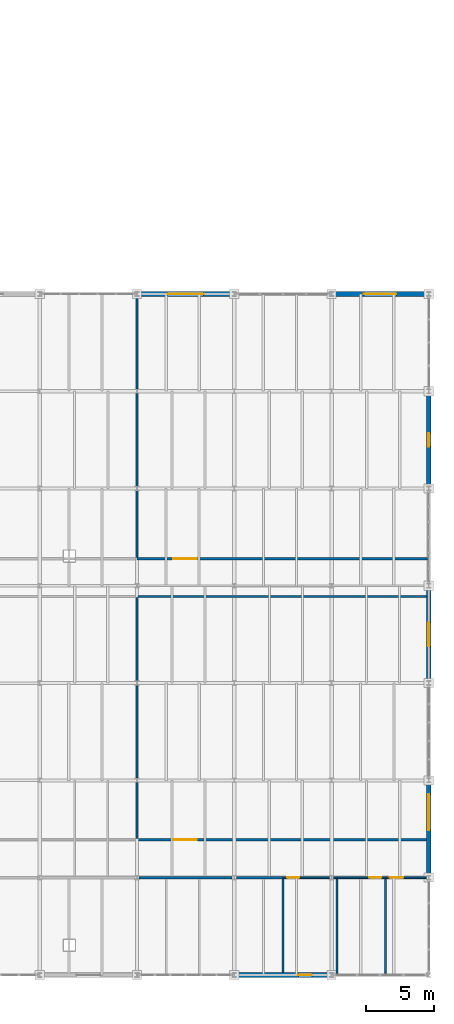
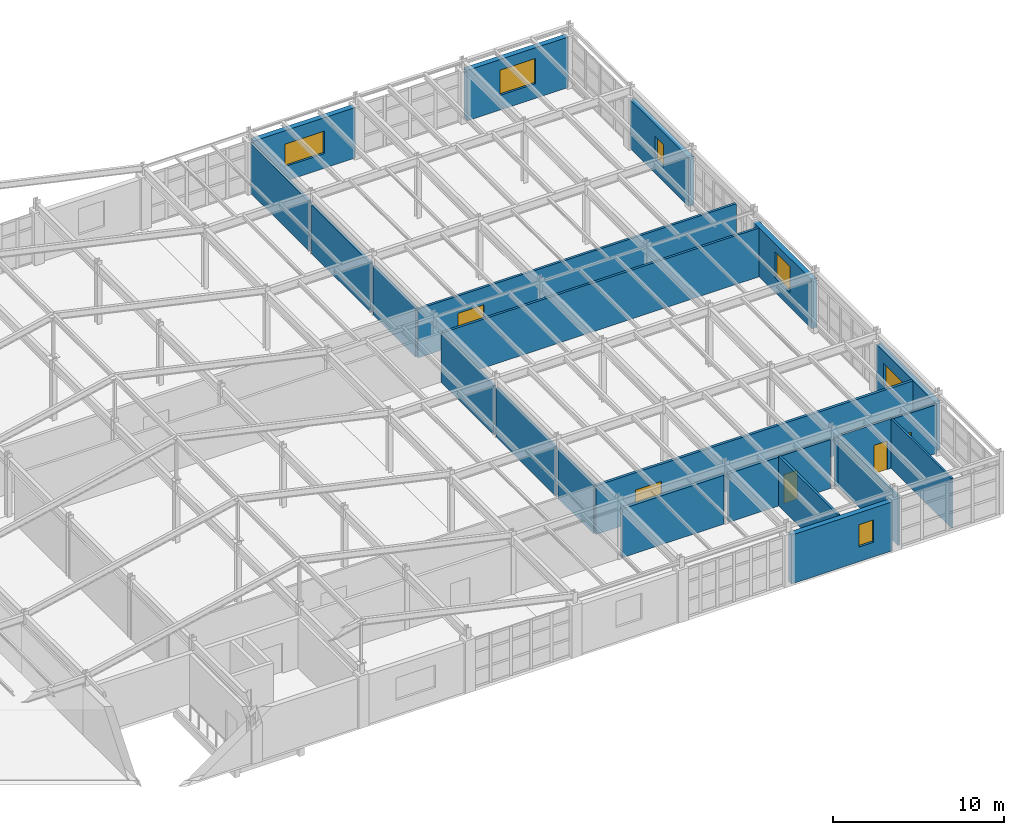
# One storey, part 131 of 137: 24 walls, 6 windows, 5 doors, 11 openings.
"""IFC4 building model written with IfcOpenShell, lengths in metres."""

from ifc_helpers import new_model, si_unit, direction, frame, frame_2d, origin, place, context, subcontext, project, spatial, rectangle, extrude, material, layer, layer_set, type_object, element, fill, save


model = new_model("IFC4")

# Units and contexts
model_context = context("Model", 3, precision=1e-05, world=origin(), true_north=direction((0.0, 1.0)))
body_context = subcontext(model_context, "Body", "Model", "MODEL_VIEW")
ifc_project = project(units=[si_unit("LENGTHUNIT", "METRE"), si_unit("AREAUNIT", "SQUARE_METRE"), si_unit("VOLUMEUNIT", "CUBIC_METRE"), si_unit("PLANEANGLEUNIT", "RADIAN"), si_unit("MASSUNIT", "GRAM", prefix="KILO")], contexts=[model_context])

# Site, building, storey
site_placement = place(None, origin())
site = spatial("IfcSite", under=ifc_project, at=site_placement, CompositionType="ELEMENT")
building_placement = place(site_placement, origin())
building = spatial("IfcBuilding", under=site, at=building_placement, Name="Kemerveld Promenade Tramway Depot", CompositionType="ELEMENT")
storey_placement = place(building_placement, frame((0.0, 0.0, 5.39990234375)))
storey = spatial("IfcBuildingStorey", under=building, at=storey_placement, Name="L01", CompositionType="ELEMENT", Elevation=5.39990234375)

# Wall, opening, window
ifc_material_1 = material(Name="Banded granite and red-ochre clay brick masonry", Category="masonry")
ifc_layer_1 = layer(ifc_material_1, 0.35009765625)
ifc_layer_set_1 = layer_set([ifc_layer_1], Name="WL-EXT-350")
wall_type_1 = type_object("IfcWallType", Name="WL-EXT-350", PredefinedType="SOLIDWALL", material=ifc_layer_set_1)
wall_1_placement = place(storey_placement, frame((194.5771484375, 50.39990234375, 0.0), z_axis=(0.0, 0.0, 1.0), x_axis=(1.0, 0.0, 0.0)))
wall_1 = element("IfcWall", 1, at=wall_1_placement, inside=storey, type_object=wall_type_1, Name="WL-L01-V2N-06", PredefinedType="SOLIDWALL", context=body_context, shape_type="SweptSolid", body=[
    extrude(rectangle(XDim=6.845703125, YDim=0.35009765625, at=frame_2d((3.4228515625, 0.0))), origin(), (0.0, 0.0, 1.0), 3.61279296875),
])
opening_1_placement = place(wall_1_placement, frame((2.097900390625, 0.0, 1.050048828125)))
opening_1 = element("IfcOpeningElement", 2, at=opening_1_placement, cuts=wall_1, Name="Opening W-180", PredefinedType="OPENING", context=body_context, shape_type="SweptSolid", body=[
    extrude(rectangle(XDim=2.64990234375, YDim=1.60009765625, at=frame_2d((1.324951171875, 0.800048828125))), frame((0.0, 0.18505859375, 0.0), z_axis=(0.0, -1.0, 0.0), x_axis=(1.0, 0.0, 0.0)), (0.0, 0.0, 1.0), 0.3701171875),
])
ifc_material_2 = material(Name="Bronze anodised aluminium and low-e glass", Category="aluminium")
window_type_1 = type_object("IfcWindowType", Name="WN-40", PartitioningType="SINGLE_PANEL", PredefinedType="WINDOW", material=ifc_material_2)
window_1_placement = place(opening_1_placement, origin())
window_1 = element("IfcWindow", 3, at=window_1_placement, inside=storey, type_object=window_type_1, Name="WN-L01-V2N-06", OverallHeight=1.60009765625, OverallWidth=2.64990234375, PartitioningType="SINGLE_PANEL", PredefinedType="WINDOW", context=body_context, shape_type="SweptSolid", body=[
    extrude(rectangle(XDim=2.64990234375, YDim=1.60009765625, at=frame_2d((1.324951171875, 0.800048828125))), frame((0.0, 0.030029296875, 0.0), z_axis=(0.0, -1.0, 0.0), x_axis=(1.0, 0.0, 0.0)), (0.0, 0.0, 1.0), 0.06005859375),
])
fill(opening_1, window_1)

wall_2_placement = place(storey_placement, frame((208.977294921875, 50.39990234375, 0.0), z_axis=(0.0, 0.0, 1.0), x_axis=(1.0, 0.0, 0.0)))
wall_2 = element("IfcWall", 4, at=wall_2_placement, inside=storey, type_object=wall_type_1, Name="WL-L01-V2N-08", PredefinedType="SOLIDWALL", context=body_context, shape_type="SweptSolid", body=[
    extrude(rectangle(XDim=6.845458984375, YDim=0.35009765625, at=frame_2d((3.4228515625, 0.0))), origin(), (0.0, 0.0, 1.0), 3.61279296875),
])
opening_2_placement = place(wall_2_placement, frame((2.222900390625, 0.0, 1.050048828125)))
opening_2 = element("IfcOpeningElement", 5, at=opening_2_placement, cuts=wall_2, Name="Opening W-181", PredefinedType="OPENING", context=body_context, shape_type="SweptSolid", body=[
    extrude(rectangle(XDim=2.39990234375, YDim=1.800048828125, at=frame_2d((1.199951171875, 0.89990234375))), frame((0.0, 0.18505859375, 0.0), z_axis=(0.0, -1.0, 0.0), x_axis=(1.0, 0.0, 0.0)), (0.0, 0.0, 1.0), 0.3701171875),
])
window_type_2 = type_object("IfcWindowType", Name="WN-10", PartitioningType="SINGLE_PANEL", PredefinedType="WINDOW", material=ifc_material_2)
window_2_placement = place(opening_2_placement, origin())
window_2 = element("IfcWindow", 6, at=window_2_placement, inside=storey, type_object=window_type_2, Name="WN-L01-V2N-08", OverallHeight=1.800048828125, OverallWidth=2.39990234375, PartitioningType="SINGLE_PANEL", PredefinedType="WINDOW", context=body_context, shape_type="SweptSolid", body=[
    extrude(rectangle(XDim=2.39990234375, YDim=1.800048828125, at=frame_2d((1.199951171875, 0.89990234375))), frame((0.0, 0.030029296875, 0.0), z_axis=(0.0, -1.0, 0.0), x_axis=(1.0, 0.0, 0.0)), (0.0, 0.0, 1.0), 0.06005859375),
])
fill(opening_2, window_2)

wall_3_placement = place(storey_placement, frame((216.0, 43.022705078125, 0.0), z_axis=(0.0, 0.0, 1.0), x_axis=(0.0, -1.0, 0.0)))
wall_3 = element("IfcWall", 7, at=wall_3_placement, inside=storey, type_object=wall_type_1, Name="WL-L01-V2E-02", PredefinedType="SOLIDWALL", context=body_context, shape_type="SweptSolid", body=[
    extrude(rectangle(XDim=6.845458984375, YDim=0.35009765625, at=frame_2d((3.4228515625, 0.0))), origin(), (0.0, 0.0, 1.0), 3.49267578125),
])
opening_3_placement = place(wall_3_placement, frame((2.923095703125, 0.0, 1.050048828125)))
opening_3 = element("IfcOpeningElement", 8, at=opening_3_placement, cuts=wall_3, Name="Opening W-182", PredefinedType="OPENING", context=body_context, shape_type="SweptSolid", body=[
    extrude(rectangle(XDim=1.0, YDim=1.60009765625, at=frame_2d((0.5, 0.800048828125))), frame((0.0, 0.18505859375, 0.0), z_axis=(0.0, -1.0, 0.0), x_axis=(1.0, 0.0, 0.0)), (0.0, 0.0, 1.0), 0.3701171875),
])
window_type_3 = type_object("IfcWindowType", Name="WN-20", PartitioningType="SINGLE_PANEL", PredefinedType="WINDOW", material=ifc_material_2)
window_3_placement = place(opening_3_placement, origin())
window_3 = element("IfcWindow", 9, at=window_3_placement, inside=storey, type_object=window_type_3, Name="WN-L01-V2E-02", OverallHeight=1.60009765625, OverallWidth=1.0, PartitioningType="SINGLE_PANEL", PredefinedType="WINDOW", context=body_context, shape_type="SweptSolid", body=[
    extrude(rectangle(XDim=1.0, YDim=1.60009765625, at=frame_2d((0.5, 0.800048828125))), frame((0.0, 0.030029296875, 0.0), z_axis=(0.0, -1.0, 0.0), x_axis=(1.0, 0.0, 0.0)), (0.0, 0.0, 1.0), 0.06005859375),
])
fill(opening_3, window_3)

wall_4_placement = place(storey_placement, frame((216.0, 28.622802734375, 0.0), z_axis=(0.0, 0.0, 1.0), x_axis=(0.0, -1.0, 0.0)))
wall_4 = element("IfcWall", 10, at=wall_4_placement, inside=storey, type_object=wall_type_1, Name="WL-L01-V2E-04", PredefinedType="SOLIDWALL", context=body_context, shape_type="SweptSolid", body=[
    extrude(rectangle(XDim=6.845458984375, YDim=0.35009765625, at=frame_2d((3.4228515625, 0.0))), origin(), (0.0, 0.0, 1.0), 3.49267578125),
])
opening_4_placement = place(wall_4_placement, frame((2.548095703125, 0.0, 1.050048828125)))
opening_4 = element("IfcOpeningElement", 11, at=opening_4_placement, cuts=wall_4, Name="Opening W-183", PredefinedType="OPENING", context=body_context, shape_type="SweptSolid", body=[
    extrude(rectangle(XDim=1.75, YDim=1.85009765625, at=frame_2d((0.875, 0.925048828125))), frame((0.0, 0.18505859375, 0.0), z_axis=(0.0, -1.0, 0.0), x_axis=(1.0, 0.0, 0.0)), (0.0, 0.0, 1.0), 0.3701171875),
])
window_type_4 = type_object("IfcWindowType", Name="WN-30", PartitioningType="SINGLE_PANEL", PredefinedType="WINDOW", material=ifc_material_2)
window_4_placement = place(opening_4_placement, origin())
window_4 = element("IfcWindow", 12, at=window_4_placement, inside=storey, type_object=window_type_4, Name="WN-L01-V2E-04", OverallHeight=1.85009765625, OverallWidth=1.75, PartitioningType="SINGLE_PANEL", PredefinedType="WINDOW", context=body_context, shape_type="SweptSolid", body=[
    extrude(rectangle(XDim=1.75, YDim=1.85009765625, at=frame_2d((0.875, 0.925048828125))), frame((0.0, 0.030029296875, 0.0), z_axis=(0.0, -1.0, 0.0), x_axis=(1.0, 0.0, 0.0)), (0.0, 0.0, 1.0), 0.06005859375),
])
fill(opening_4, window_4)

wall_5_placement = place(storey_placement, frame((216.0, 14.22265625, 0.0), z_axis=(0.0, 0.0, 1.0), x_axis=(0.0, -1.0, 0.0)))
wall_5 = element("IfcWall", 13, at=wall_5_placement, inside=storey, type_object=wall_type_1, Name="WL-L01-V2E-06", PredefinedType="SOLIDWALL", context=body_context, shape_type="SweptSolid", body=[
    extrude(rectangle(XDim=6.845458984375, YDim=0.35009765625, at=frame_2d((3.4228515625, 0.0))), origin(), (0.0, 0.0, 1.0), 3.49267578125),
])
opening_5_placement = place(wall_5_placement, frame((0.861083984375, 0.0, 1.050048828125)))
opening_5 = element("IfcOpeningElement", 14, at=opening_5_placement, cuts=wall_5, Name="Opening W-184", PredefinedType="OPENING", context=body_context, shape_type="SweptSolid", body=[
    extrude(rectangle(XDim=2.64990234375, YDim=1.60009765625, at=frame_2d((1.324951171875, 0.800048828125))), frame((0.0, 0.18505859375, 0.0), z_axis=(0.0, -1.0, 0.0), x_axis=(1.0, 0.0, 0.0)), (0.0, 0.0, 1.0), 0.3701171875),
])
window_5_placement = place(opening_5_placement, origin())
window_5 = element("IfcWindow", 15, at=window_5_placement, inside=storey, type_object=window_type_1, Name="WN-L01-V2E-06", OverallHeight=1.60009765625, OverallWidth=2.64990234375, PartitioningType="SINGLE_PANEL", PredefinedType="WINDOW", context=body_context, shape_type="SweptSolid", body=[
    extrude(rectangle(XDim=2.64990234375, YDim=1.60009765625, at=frame_2d((1.324951171875, 0.800048828125))), frame((0.0, 0.030029296875, 0.0), z_axis=(0.0, -1.0, 0.0), x_axis=(1.0, 0.0, 0.0)), (0.0, 0.0, 1.0), 0.06005859375),
])
fill(opening_5, window_5)

wall_6_placement = place(storey_placement, frame((208.622802734375, 0.0, 0.0), z_axis=(0.0, 0.0, 1.0), x_axis=(-1.0, 0.0, 0.0)))
wall_6 = element("IfcWall", 16, at=wall_6_placement, inside=storey, type_object=wall_type_1, Name="WL-L01-V2S-02", PredefinedType="SOLIDWALL", context=body_context, shape_type="SweptSolid", body=[
    extrude(rectangle(XDim=6.845703125, YDim=0.35009765625, at=frame_2d((3.4228515625, 0.0))), origin(), (0.0, 0.0, 1.0), 3.49267578125),
])
opening_6_placement = place(wall_6_placement, frame((1.285888671875, 0.0, 1.050048828125)))
opening_6 = element("IfcOpeningElement", 17, at=opening_6_placement, cuts=wall_6, Name="Opening W-185", PredefinedType="OPENING", context=body_context, shape_type="SweptSolid", body=[
    extrude(rectangle(XDim=1.0, YDim=1.60009765625, at=frame_2d((0.5, 0.800048828125))), frame((0.0, 0.18505859375, 0.0), z_axis=(0.0, -1.0, 0.0), x_axis=(1.0, 0.0, 0.0)), (0.0, 0.0, 1.0), 0.3701171875),
])
window_6_placement = place(opening_6_placement, origin())
window_6 = element("IfcWindow", 18, at=window_6_placement, inside=storey, type_object=window_type_3, Name="WN-L01-V2S-02", OverallHeight=1.60009765625, OverallWidth=1.0, PartitioningType="SINGLE_PANEL", PredefinedType="WINDOW", context=body_context, shape_type="SweptSolid", body=[
    extrude(rectangle(XDim=1.0, YDim=1.60009765625, at=frame_2d((0.5, 0.800048828125))), frame((0.0, 0.030029296875, 0.0), z_axis=(0.0, -1.0, 0.0), x_axis=(1.0, 0.0, 0.0)), (0.0, 0.0, 1.0), 0.06005859375),
])
fill(opening_6, window_6)

# Wall, opening, door
ifc_material_3 = material(Name="Moisture-resistant masonry partition", Category="masonry")
ifc_layer_2 = layer(ifc_material_3, 0.1298828125)
ifc_layer_set_2 = layer_set([ifc_layer_2], Name="WL-PRT-130")
wall_type_2 = type_object("IfcWallType", Name="WL-PRT-130", PredefinedType="PARTITIONING", material=ifc_layer_set_2)
wall_7_placement = place(storey_placement, frame((205.199951171875, 7.199951171875, 0.0), z_axis=(0.0, 0.0, 1.0), x_axis=(1.0, 0.0, 0.0)))
wall_7 = element("IfcWall", 19, at=wall_7_placement, inside=storey, type_object=wall_type_2, Name="WL-PRT-RM-L01-V2-WCM", PredefinedType="PARTITIONING", context=body_context, shape_type="SweptSolid", body=[
    extrude(rectangle(XDim=3.444091796875, YDim=0.1298828125, at=frame_2d((1.72216796875, 0.0))), origin(), (0.0, 0.0, 1.0), 3.487548828125),
])
opening_7_placement = place(wall_7_placement, frame((0.320068359375, 0.0, 0.0)))
opening_7 = element("IfcOpeningElement", 20, at=opening_7_placement, cuts=wall_7, Name="Opening D-630", PredefinedType="OPENING", context=body_context, shape_type="SweptSolid", body=[
    extrude(rectangle(XDim=0.89990234375, YDim=2.050048828125, at=frame_2d((0.449951171875, 1.02490234375))), frame((0.0, 0.074951171875, 0.0), z_axis=(0.0, -1.0, 0.0), x_axis=(1.0, 0.0, 0.0)), (0.0, 0.0, 1.0), 0.14990234375),
])
ifc_material_4 = material(Name="Moisture-resistant laminate WC door")
door_type_1 = type_object("IfcDoorType", Name="DR-WC01", OperationType="NOTDEFINED", PredefinedType="DOOR", material=ifc_material_4)
door_1_placement = place(opening_7_placement, origin())
door_1 = element("IfcDoor", 21, at=door_1_placement, inside=storey, type_object=door_type_1, Name="DR-RM-RM-L01-V2-WCM", OperationType="SINGLE_SWING_RIGHT", OverallHeight=2.050048828125, OverallWidth=0.89990234375, PredefinedType="DOOR", context=body_context, shape_type="SweptSolid", body=[
    extrude(rectangle(XDim=0.89990234375, YDim=2.050048828125, at=frame_2d((0.449951171875, 1.02490234375))), frame((0.0, 0.02490234375, 0.0), z_axis=(0.0, -1.0, 0.0), x_axis=(1.0, 0.0, 0.0)), (0.0, 0.0, 1.0), 0.050048828125),
])
fill(opening_7, door_1)

# Wall
wall_8_placement = place(storey_placement, frame((208.9560546875, 7.199951171875, 0.0), z_axis=(0.0, 0.0, 1.0), x_axis=(1.0, 0.0, 0.0)))
element("IfcWall", 22, at=wall_8_placement, inside=storey, type_object=wall_type_2, Name="WL-PRT-RM-L01-V2-WCM-S2", PredefinedType="PARTITIONING", context=body_context, shape_type="SweptSolid", body=[
    extrude(rectangle(XDim=0.243896484375, YDim=0.1298828125, at=frame_2d((0.1220703125, 0.0))), origin(), (0.0, 0.0, 1.0), 3.487548828125),
])

# Wall, opening, door
wall_9_placement = place(storey_placement, frame((209.199951171875, 7.199951171875, 0.0), z_axis=(0.0, 0.0, 1.0), x_axis=(1.0, 0.0, 0.0)))
wall_9 = element("IfcWall", 23, at=wall_9_placement, inside=storey, type_object=wall_type_2, Name="WL-PRT-RM-L01-V2-WCF", PredefinedType="PARTITIONING", context=body_context, shape_type="SweptSolid", body=[
    extrude(rectangle(XDim=3.60009765625, YDim=0.1298828125, at=frame_2d((1.800048828125, 0.0))), origin(), (0.0, 0.0, 1.0), 3.550048828125),
])
opening_8_placement = place(wall_9_placement, frame((2.3798828125, 0.0, 0.0)))
opening_8 = element("IfcOpeningElement", 24, at=opening_8_placement, cuts=wall_9, Name="Opening D-631", PredefinedType="OPENING", context=body_context, shape_type="SweptSolid", body=[
    extrude(rectangle(XDim=0.89990234375, YDim=2.050048828125, at=frame_2d((0.449951171875, 1.02490234375))), frame((0.0, 0.074951171875, 0.0), z_axis=(0.0, -1.0, 0.0), x_axis=(1.0, 0.0, 0.0)), (0.0, 0.0, 1.0), 0.14990234375),
])
door_2_placement = place(opening_8_placement, origin())
door_2 = element("IfcDoor", 25, at=door_2_placement, inside=storey, type_object=door_type_1, Name="DR-RM-RM-L01-V2-WCF", OperationType="SINGLE_SWING_LEFT", OverallHeight=2.050048828125, OverallWidth=0.89990234375, PredefinedType="DOOR", context=body_context, shape_type="SweptSolid", body=[
    extrude(rectangle(XDim=0.89990234375, YDim=2.050048828125, at=frame_2d((0.449951171875, 1.02490234375))), frame((0.0, 0.02490234375, 0.0), z_axis=(0.0, -1.0, 0.0), x_axis=(1.0, 0.0, 0.0)), (0.0, 0.0, 1.0), 0.050048828125),
])
fill(opening_8, door_2)

wall_10_placement = place(storey_placement, frame((212.800048828125, 7.199951171875, 0.0), z_axis=(0.0, 0.0, 1.0), x_axis=(1.0, 0.0, 0.0)))
wall_10 = element("IfcWall", 26, at=wall_10_placement, inside=storey, type_object=wall_type_2, Name="WL-PRT-RM-L01-V2-WCA", PredefinedType="PARTITIONING", context=body_context, shape_type="SweptSolid", body=[
    extrude(rectangle(XDim=3.02490234375, YDim=0.1298828125, at=frame_2d((1.512451171875, 0.0))), origin(), (0.0, 0.0, 1.0), 3.487548828125),
])
opening_9_placement = place(wall_10_placement, frame((0.320068359375, 0.0, 0.0)))
opening_9 = element("IfcOpeningElement", 27, at=opening_9_placement, cuts=wall_10, Name="Opening D-632", PredefinedType="OPENING", context=body_context, shape_type="SweptSolid", body=[
    extrude(rectangle(XDim=0.97998046875, YDim=2.10009765625, at=frame_2d((0.489990234375, 1.050048828125))), frame((0.0, 0.074951171875, 0.0), z_axis=(0.0, -1.0, 0.0), x_axis=(1.0, 0.0, 0.0)), (0.0, 0.0, 1.0), 0.14990234375),
])
ifc_material_5 = material(Name="Accessible WC outward-opening door")
door_type_2 = type_object("IfcDoorType", Name="DR-WCA1", OperationType="NOTDEFINED", PredefinedType="DOOR", material=ifc_material_5)
door_3_placement = place(opening_9_placement, origin())
door_3 = element("IfcDoor", 28, at=door_3_placement, inside=storey, type_object=door_type_2, Name="DR-RM-RM-L01-V2-WCA", OperationType="SINGLE_SWING_RIGHT", OverallHeight=2.10009765625, OverallWidth=0.97998046875, PredefinedType="DOOR", context=body_context, shape_type="SweptSolid", body=[
    extrude(rectangle(XDim=0.97998046875, YDim=2.10009765625, at=frame_2d((0.489990234375, 1.050048828125))), frame((0.0, 0.02490234375, 0.0), z_axis=(0.0, -1.0, 0.0), x_axis=(1.0, 0.0, 0.0)), (0.0, 0.0, 1.0), 0.050048828125),
])
fill(opening_9, door_3)

# Walls
for number, where, z_axis, x_axis, name in (
    (29, (209.199951171875, 0.10009765625, 0.0), (0.0, 0.0, 1.0), (0.0, 1.0, 0.0), "WL-DIV-L01-016"),
    (30, (212.800048828125, 0.10009765625, 0.0), (0.0, 0.0, 1.0), (0.0, 1.0, 0.0), "WL-DIV-L01-017"),
):
    element("IfcWall", number, at=place(storey_placement, frame(where, z_axis=z_axis, x_axis=x_axis)), inside=storey, type_object=wall_type_2, Name=name, PredefinedType="PARTITIONING", context=body_context, shape_type="SweptSolid", body=[
        extrude(rectangle(XDim=7.034912109375, YDim=0.1298828125, at=frame_2d((3.517578125, 0.0))), origin(), (0.0, 0.0, 1.0), 3.550048828125),
    ])

# Wall, opening, door
ifc_material_6 = material(Name="Acoustic twin-stud gypsum partition")
ifc_layer_3 = layer(ifc_material_6, 0.159912109375)
ifc_layer_set_3 = layer_set([ifc_layer_3], Name="WL-PRT-160")
wall_type_3 = type_object("IfcWallType", Name="WL-PRT-160", PredefinedType="PARTITIONING", material=ifc_layer_set_3)
wall_11_placement = place(storey_placement, frame((194.39990234375, 30.800048828125, 0.0), z_axis=(0.0, 0.0, 1.0), x_axis=(1.0, 0.0, 0.0)))
wall_11 = element("IfcWall", 31, at=wall_11_placement, inside=storey, type_object=wall_type_3, Name="WL-PRT-RM-L01-V2-BRAKE", PredefinedType="PARTITIONING", context=body_context, shape_type="SweptSolid", body=[
    extrude(rectangle(XDim=21.5, YDim=0.159912109375, at=frame_2d((10.75, 0.0))), origin(), (0.0, 0.0, 1.0), 3.487548828125),
])
opening_10_placement = place(wall_11_placement, frame((2.68408203125, 0.0, 0.0)))
opening_10 = element("IfcOpeningElement", 32, at=opening_10_placement, cuts=wall_11, Name="Opening D-628", PredefinedType="OPENING", context=body_context, shape_type="SweptSolid", body=[
    extrude(rectangle(XDim=1.75, YDim=2.25, at=frame_2d((0.875, 1.125))), frame((0.0, 0.08984375, 0.0), z_axis=(0.0, -1.0, 0.0), x_axis=(1.0, 0.0, 0.0)), (0.0, 0.0, 1.0), 0.179931640625),
])
ifc_material_7 = material(Name="Double workshop equipment door")
door_type_3 = type_object("IfcDoorType", Name="DR-INT06", OperationType="DOUBLE_SWING_LEFT", PredefinedType="DOOR", material=ifc_material_7)
door_4_placement = place(opening_10_placement, origin())
door_4 = element("IfcDoor", 33, at=door_4_placement, inside=storey, type_object=door_type_3, Name="DR-RM-RM-L01-V2-BRAKE", OperationType="DOUBLE_SWING_LEFT", OverallHeight=2.25, OverallWidth=1.75, PredefinedType="DOOR", context=body_context, shape_type="SweptSolid", body=[
    extrude(rectangle(XDim=1.75, YDim=2.25, at=frame_2d((0.875, 1.125))), frame((0.0, 0.02490234375, 0.0), z_axis=(0.0, -1.0, 0.0), x_axis=(1.0, 0.0, 0.0)), (0.0, 0.0, 1.0), 0.050048828125),
])
fill(opening_10, door_4)

# Walls
wall_12_placement = place(storey_placement, frame((194.39990234375, 10.087890625, 0.0), z_axis=(0.0, 0.0, 1.0), x_axis=(0.0, 1.0, 0.0)))
element("IfcWall", 34, at=wall_12_placement, inside=storey, type_object=wall_type_3, Name="WL-DIV-L01-004", PredefinedType="PARTITIONING", context=body_context, shape_type="SweptSolid", body=[
    extrude(rectangle(XDim=4.153076171875, YDim=0.159912109375, at=frame_2d((2.07666015625, 0.0))), origin(), (0.0, 0.0, 1.0), 3.487548828125),
])
wall_13_placement = place(storey_placement, frame((194.39990234375, 14.55908203125, 0.0), z_axis=(0.0, 0.0, 1.0), x_axis=(0.0, 1.0, 0.0)))
element("IfcWall", 35, at=wall_13_placement, inside=storey, type_object=wall_type_3, Name="WL-DIV-L01-005", PredefinedType="PARTITIONING", context=body_context, shape_type="SweptSolid", body=[
    extrude(rectangle(XDim=6.8818359375, YDim=0.159912109375, at=frame_2d((3.44091796875, 0.0))), origin(), (0.0, 0.0, 1.0), 3.487548828125),
])
wall_14_placement = place(storey_placement, frame((194.39990234375, 21.759033203125, 0.0), z_axis=(0.0, 0.0, 1.0), x_axis=(0.0, 1.0, 0.0)))
element("IfcWall", 36, at=wall_14_placement, inside=storey, type_object=wall_type_3, Name="WL-DIV-L01-006", PredefinedType="PARTITIONING", context=body_context, shape_type="SweptSolid", body=[
    extrude(rectangle(XDim=6.160888671875, YDim=0.159912109375, at=frame_2d((3.08056640625, 0.0))), origin(), (0.0, 0.0, 1.0), 3.487548828125),
])
wall_15_placement = place(storey_placement, frame((194.47998046875, 28.0, 0.0), z_axis=(0.0, 0.0, 1.0), x_axis=(1.0, 0.0, 0.0)))
element("IfcWall", 37, at=wall_15_placement, inside=storey, type_object=wall_type_3, Name="WL-DIV-L01-008", PredefinedType="PARTITIONING", context=body_context, shape_type="SweptSolid", body=[
    extrude(rectangle(XDim=21.344970703125, YDim=0.159912109375, at=frame_2d((10.67236328125, 0.0))), origin(), (0.0, 0.0, 1.0), 3.487548828125),
])
wall_16_placement = place(storey_placement, frame((194.39990234375, 30.8798828125, 0.0), z_axis=(0.0, 0.0, 1.0), x_axis=(0.0, 1.0, 0.0)))
element("IfcWall", 38, at=wall_16_placement, inside=storey, type_object=wall_type_3, Name="WL-DIV-L01-012", PredefinedType="PARTITIONING", context=body_context, shape_type="SweptSolid", body=[
    extrude(rectangle(XDim=4.961181640625, YDim=0.159912109375, at=frame_2d((2.48046875, 0.0))), origin(), (0.0, 0.0, 1.0), 3.487548828125),
])
wall_17_placement = place(storey_placement, frame((194.39990234375, 36.158935546875, 0.0), z_axis=(0.0, 0.0, 1.0), x_axis=(0.0, 1.0, 0.0)))
element("IfcWall", 39, at=wall_17_placement, inside=storey, type_object=wall_type_3, Name="WL-DIV-L01-013", PredefinedType="PARTITIONING", context=body_context, shape_type="SweptSolid", body=[
    extrude(rectangle(XDim=6.882080078125, YDim=0.159912109375, at=frame_2d((3.44091796875, 0.0))), origin(), (0.0, 0.0, 1.0), 3.487548828125),
])
wall_18_placement = place(storey_placement, frame((194.39990234375, 43.35888671875, 0.0), z_axis=(0.0, 0.0, 1.0), x_axis=(0.0, 1.0, 0.0)))
element("IfcWall", 40, at=wall_18_placement, inside=storey, type_object=wall_type_3, Name="WL-DIV-L01-014", PredefinedType="PARTITIONING", context=body_context, shape_type="SweptSolid", body=[
    extrude(rectangle(XDim=6.8662109375, YDim=0.159912109375, at=frame_2d((3.43310546875, 0.0))), origin(), (0.0, 0.0, 1.0), 3.550048828125),
])
wall_19_placement = place(storey_placement, frame((205.199951171875, 0.175048828125, 0.0), z_axis=(0.0, 0.0, 1.0), x_axis=(0.0, 1.0, 0.0)))
element("IfcWall", 41, at=wall_19_placement, inside=storey, type_object=wall_type_3, Name="WL-DIV-L01-015", PredefinedType="PARTITIONING", context=body_context, shape_type="SweptSolid", body=[
    extrude(rectangle(XDim=6.929931640625, YDim=0.159912109375, at=frame_2d((3.46484375, 0.0))), origin(), (0.0, 0.0, 1.0), 3.550048828125),
])

# Wall, opening, door
ifc_material_8 = material(Name="Workshop acoustic block partition")
ifc_layer_4 = layer(ifc_material_8, 0.175048828125)
ifc_layer_set_4 = layer_set([ifc_layer_4], Name="WL-PRT-175")
wall_type_4 = type_object("IfcWallType", Name="WL-PRT-175", PredefinedType="PARTITIONING", material=ifc_layer_set_4)
wall_20_placement = place(storey_placement, frame((194.39990234375, 10.0, 0.0), z_axis=(0.0, 0.0, 1.0), x_axis=(1.0, 0.0, 0.0)))
wall_20 = element("IfcWall", 42, at=wall_20_placement, inside=storey, type_object=wall_type_4, Name="WL-PRT-RM-L01-V2-PANT", PredefinedType="PARTITIONING", context=body_context, shape_type="SweptSolid", body=[
    extrude(rectangle(XDim=21.425048828125, YDim=0.175048828125, at=frame_2d((10.71240234375, 0.0))), origin(), (0.0, 0.0, 1.0), 3.487548828125),
])
opening_11_placement = place(wall_20_placement, frame((2.68408203125, 0.0, 0.0)))
opening_11 = element("IfcOpeningElement", 43, at=opening_11_placement, cuts=wall_20, Name="Opening D-626", PredefinedType="OPENING", context=body_context, shape_type="SweptSolid", body=[
    extrude(rectangle(XDim=1.75, YDim=2.25, at=frame_2d((0.875, 1.125))), frame((0.0, 0.097412109375, 0.0), z_axis=(0.0, -1.0, 0.0), x_axis=(1.0, 0.0, 0.0)), (0.0, 0.0, 1.0), 0.195068359375),
])
door_5_placement = place(opening_11_placement, origin())
door_5 = element("IfcDoor", 44, at=door_5_placement, inside=storey, type_object=door_type_3, Name="DR-RM-RM-L01-V2-PANT", OperationType="DOUBLE_SWING_LEFT", OverallHeight=2.25, OverallWidth=1.75, PredefinedType="DOOR", context=body_context, shape_type="SweptSolid", body=[
    extrude(rectangle(XDim=1.75, YDim=2.25, at=frame_2d((0.875, 1.125))), frame((0.0, 0.02490234375, 0.0), z_axis=(0.0, -1.0, 0.0), x_axis=(1.0, 0.0, 0.0)), (0.0, 0.0, 1.0), 0.050048828125),
])
fill(opening_11, door_5)

# Walls
ifc_material_9 = material(Name="Plant and substation fire partition")
ifc_layer_5 = layer(ifc_material_9, 0.18994140625)
ifc_layer_set_5 = layer_set([ifc_layer_5], Name="WL-PRT-190")
wall_type_5 = type_object("IfcWallType", Name="WL-PRT-190", PredefinedType="PARTITIONING", material=ifc_layer_set_5)
wall_21_placement = place(storey_placement, frame((194.555908203125, 7.199951171875, 0.0), z_axis=(0.0, 0.0, 1.0), x_axis=(1.0, 0.0, 0.0)))
element("IfcWall", 45, at=wall_21_placement, inside=storey, type_object=wall_type_5, Name="WL-PRT-RM-L01-V2-SPARE-S4", PredefinedType="PARTITIONING", context=body_context, shape_type="SweptSolid", body=[
    extrude(rectangle(XDim=6.88818359375, YDim=0.18994140625, at=frame_2d((3.444091796875, 0.0))), origin(), (0.0, 0.0, 1.0), 3.487548828125),
])
wall_22_placement = place(storey_placement, frame((201.756103515625, 7.199951171875, 0.0), z_axis=(0.0, 0.0, 1.0), x_axis=(1.0, 0.0, 0.0)))
element("IfcWall", 46, at=wall_22_placement, inside=storey, type_object=wall_type_5, Name="WL-PRT-RM-L01-V2-SPARE-S5", PredefinedType="PARTITIONING", context=body_context, shape_type="SweptSolid", body=[
    extrude(rectangle(XDim=3.44384765625, YDim=0.18994140625, at=frame_2d((1.721923828125, 0.0))), origin(), (0.0, 0.0, 1.0), 3.487548828125),
])

save(model, "model.ifc")
